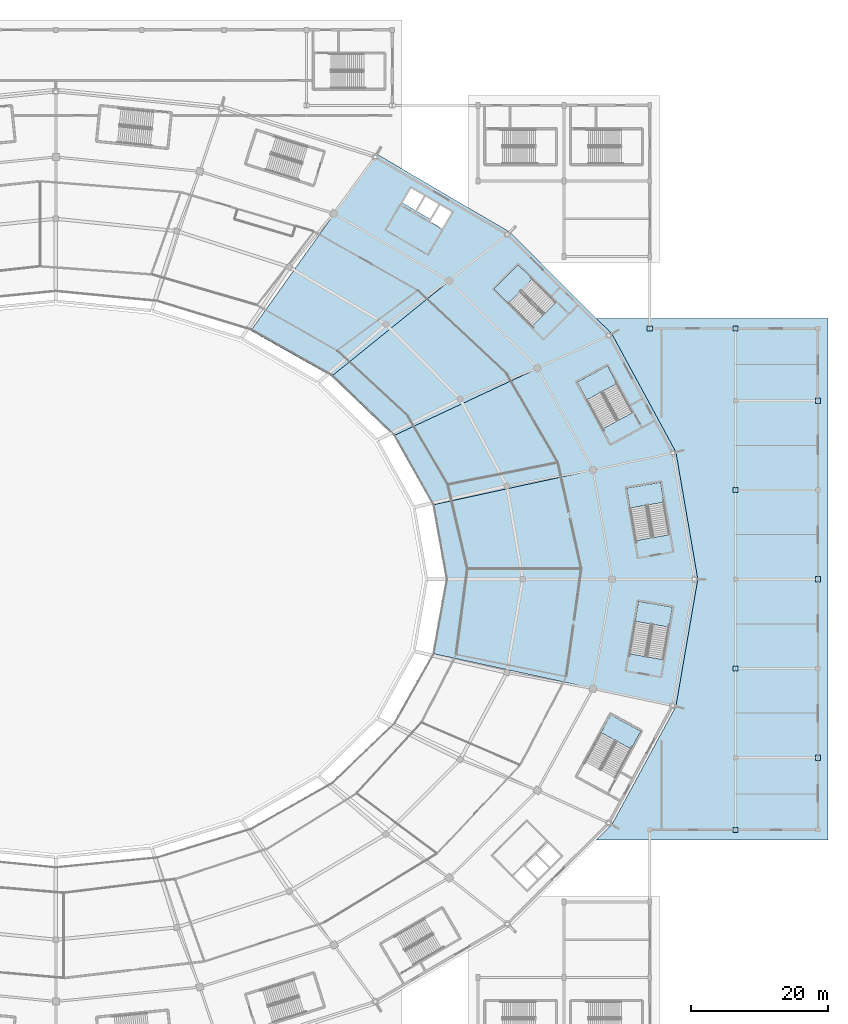
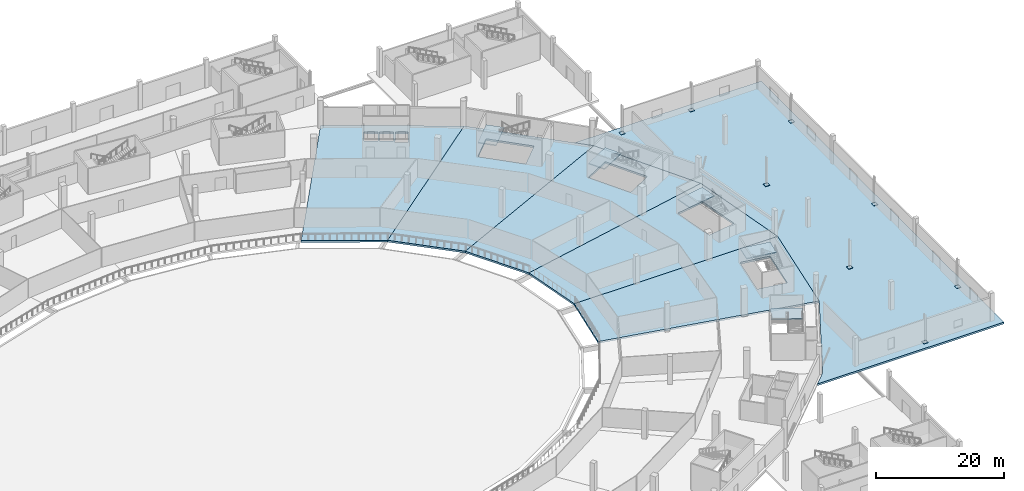
# One storey, part 30 of 82: 11 slabs, 8 plates, 5 elements without a shape of their own.
"""IFC4 building model written with IfcOpenShell, lengths in metres."""

import ifcopenshell
import ifcopenshell.guid

model = None  # the IFC model being written
_history = None  # IfcOwnerHistory: only IFC2X3 demands one
_inside = {}  # id of a spatial element -> (the spatial element, [elements in it])
_under = {}  # id of a project, library or spatial element -> (it, [spatial elements below it])
_declared = {}  # id of a project -> (the project, [libraries it declares])
_typed = {}  # id of a type object -> (the type object, [elements of that type])
_made_of = {}  # id of a material, layer set ... -> (it, [elements and type objects made of it])


def new_model(schema):
    """Start an empty IFC model of exactly this schema.

    Asked for "IFC4X3", IfcOpenShell would pick the latest addendum, in which some entities
    have other attributes; the version numbers below select the first issue.
    IFC2X3 requires an IfcOwnerHistory on every rooted entity: one is made here for all.
    """
    global model, _history
    if schema == "IFC4X3":
        model = ifcopenshell.file(schema_version=(4, 3, 0, 0))
    else:
        model = ifcopenshell.file(schema=schema)
    _inside.clear()
    _under.clear()
    _declared.clear()
    _typed.clear()
    _made_of.clear()
    _history = None
    if model.schema == "IFC2X3":
        org = make("IfcOrganization", Name="unknown")
        user = make(
            "IfcPersonAndOrganization",
            ThePerson=make("IfcPerson", FamilyName="unknown"),
            TheOrganization=org,
        )
        app = make(
            "IfcApplication",
            ApplicationDeveloper=org,
            Version="unknown",
            ApplicationFullName="unknown",
            ApplicationIdentifier="unknown",
        )
        _history = make(
            "IfcOwnerHistory",
            OwningUser=user,
            OwningApplication=app,
            ChangeAction="ADDED",
            CreationDate=0,
        )
    return model


def make(cls, **values):
    """One entity of the class cls with the attributes given. An attribute that is None is left unset."""
    return model.create_entity(
        cls, **{name: value for name, value in values.items() if value is not None}
    )


def rooted(cls, **values):
    """An entity with a GlobalId (a new one), such as an element, a storey or a relation."""
    return make(cls, GlobalId=ifcopenshell.guid.new(), OwnerHistory=_history, **values)


def si_unit(unit_type, name, prefix=None):
    """IfcSIUnit, for example si_unit("LENGTHUNIT", "METRE", prefix="MILLI")."""
    return make("IfcSIUnit", UnitType=unit_type, Prefix=prefix, Name=name)


def assignment(units):
    """IfcUnitAssignment: the units of a project."""
    return None if units is None else make("IfcUnitAssignment", Units=units)


def point(xyz):
    """IfcCartesianPoint."""
    return None if xyz is None else make("IfcCartesianPoint", Coordinates=xyz)


def direction(xyz):
    """IfcDirection."""
    return None if xyz is None else make("IfcDirection", DirectionRatios=xyz)


def frame(location, z_axis=None, x_axis=None):
    """IfcAxis2Placement3D, a coordinate frame: its origin and axes. An axis left out is left unset."""
    return make(
        "IfcAxis2Placement3D",
        Location=point(location),
        Axis=direction(z_axis),
        RefDirection=direction(x_axis),
    )


def frame_2d(location, x_axis=None):
    """IfcAxis2Placement2D, a coordinate frame in the plane: its origin and x axis."""
    return make(
        "IfcAxis2Placement2D", Location=point(location), RefDirection=direction(x_axis)
    )


def origin():
    """The frame at (0, 0, 0) with its axes left unset."""
    return frame((0.0, 0.0, 0.0))


def origin_2d():
    """The frame at (0, 0) in the plane with its x axis left unset."""
    return frame_2d((0.0, 0.0))


def place(relative_to, where):
    """IfcLocalPlacement: puts the frame where relative to a parent placement (None: the world)."""
    return make(
        "IfcLocalPlacement", PlacementRelTo=relative_to, RelativePlacement=where
    )


def context(
    kind, dimensions, precision=None, world=None, true_north=None, identifier=None
):
    """IfcGeometricRepresentationContext, for example the 3D "Model" context."""
    return make(
        "IfcGeometricRepresentationContext",
        ContextIdentifier=identifier,
        ContextType=kind,
        CoordinateSpaceDimension=dimensions,
        Precision=precision,
        WorldCoordinateSystem=world,
        TrueNorth=true_north,
    )


def subcontext(parent, identifier, kind, view, scale=None):
    """IfcGeometricRepresentationSubContext, for example "Body" below "Model"."""
    return make(
        "IfcGeometricRepresentationSubContext",
        ContextIdentifier=identifier,
        ContextType=kind,
        ParentContext=parent,
        TargetScale=scale,
        TargetView=view,
    )


def project(units=None, contexts=None):
    """IfcProject with its units and contexts."""
    return rooted(
        "IfcProject",
        Name="project",
        RepresentationContexts=contexts,
        UnitsInContext=assignment(units),
    )


def spatial(cls, under=None, at=None, **own):
    """A site, building, storey or space (cls), placed at a placement, below another one or the project."""
    s = rooted(cls, ObjectPlacement=at, **own)
    if under is not None:
        _under.setdefault(under.id(), (under, []))[1].append(s)
    return s


def polyline(points):
    """IfcPolyline through the points."""
    return make("IfcPolyline", Points=[point(p) for p in points])


def profile(cls, at=None, kind="AREA", **sizes):
    """A parametric profile (cls). Its sizes go by their IFC names, for example OverallWidth=200.0."""
    return make(cls, ProfileType=kind, Position=at, **sizes)


def rectangle(**sizes):
    """IfcRectangleProfileDef."""
    return profile("IfcRectangleProfileDef", **sizes)


def outline(outer, holes=None, kind="AREA"):
    """IfcArbitraryClosedProfileDef: a profile drawn as a closed curve; with holes, ...WithVoids."""
    if holes is None:
        return make("IfcArbitraryClosedProfileDef", ProfileType=kind, OuterCurve=outer)
    return make(
        "IfcArbitraryProfileDefWithVoids",
        ProfileType=kind,
        OuterCurve=outer,
        InnerCurves=holes,
    )


def extrude(swept, where, along, depth):
    """IfcExtrudedAreaSolid: the profile swept, set in the frame where, extruded along a direction by depth."""
    return make(
        "IfcExtrudedAreaSolid",
        SweptArea=swept,
        Position=where,
        ExtrudedDirection=direction(along),
        Depth=depth,
    )


def shape(context_of_items, identifier, shape_type, items):
    """IfcShapeRepresentation: the items that make up one representation, for example the "Body"."""
    return make(
        "IfcShapeRepresentation",
        ContextOfItems=context_of_items,
        RepresentationIdentifier=identifier,
        RepresentationType=shape_type,
        Items=items,
    )


def material(Name=None, Category=None):
    """IfcMaterial."""
    return make("IfcMaterial", Name=Name, Category=Category)


def layer(
    of_material, thickness, ventilated=None, Name=None, Category=None, Priority=None
):
    """IfcMaterialLayer: one layer of a wall or slab, of a material (None: an air gap)."""
    return make(
        "IfcMaterialLayer",
        Material=of_material,
        LayerThickness=thickness,
        IsVentilated=ventilated,
        Name=Name,
        Category=Category,
        Priority=Priority,
    )


def layer_set(layers, Name=None):
    """IfcMaterialLayerSet."""
    return make("IfcMaterialLayerSet", MaterialLayers=layers, LayerSetName=Name)


def made_of(thing, what):
    """Note that an element or type object is made of a material, layer set ...; save() writes the relation."""
    if what is not None:
        _made_of.setdefault(what.id(), (what, []))[1].append(thing)
    return thing


def type_object(cls, material=None, **own):
    """A type object (cls), such as IfcWallType, which elements share."""
    return made_of(rooted(cls, **own), material)


def element(
    cls,
    number,
    at=None,
    inside=None,
    cuts=None,
    type_object=None,
    material=None,
    context=None,
    identifier="Body",
    shape_type=None,
    held_by="IfcProductDefinitionShape",
    body=None,
    shapes=None,
    **own,
):
    """One element of the class cls, such as IfcWall. Its Tag is "e" and its number.

    at: its placement. inside: the storey or other place that contains it. cuts: it is an
    opening in that element (IfcRelVoidsElement). A single representation is given by context,
    identifier, shape_type and body (its items); several are given by shapes. held_by: the class
    of the entity that holds the representations. save() writes the other relations.
    """
    e = rooted(cls, Tag="e%d" % number, ObjectPlacement=at, **own)
    if body is not None:
        shapes = [shape(context, identifier, shape_type, body)]
    if shapes is not None:
        e.Representation = make(held_by, Representations=shapes)
    if inside is not None:
        _inside.setdefault(inside.id(), (inside, []))[1].append(e)
    if cuts is not None:
        rooted(
            "IfcRelVoidsElement", RelatingBuildingElement=cuts, RelatedOpeningElement=e
        )
    if type_object is not None:
        _typed.setdefault(type_object.id(), (type_object, []))[1].append(e)
    return made_of(e, material)


def aggregate(whole, parts):
    """IfcRelAggregates: a whole, such as a stair, and the parts it consists of."""
    return rooted("IfcRelAggregates", RelatingObject=whole, RelatedObjects=parts)


def save(model, path):
    """Write the relations noted so far, then the file.

    IfcRelAggregates (storeys below a building ...), IfcRelContainedInSpatialStructure (elements
    in a storey), IfcRelDefinesByType, IfcRelAssociatesMaterial and IfcRelDeclares: one each for
    every whole, place, type object, material and project.
    """
    for whole, parts in _under.values():
        aggregate(whole, parts)
    for where, things in _inside.values():
        rooted(
            "IfcRelContainedInSpatialStructure",
            RelatedElements=things,
            RelatingStructure=where,
        )
    for kind, things in _typed.values():
        rooted("IfcRelDefinesByType", RelatedObjects=things, RelatingType=kind)
    for what, things in _made_of.values():
        rooted("IfcRelAssociatesMaterial", RelatedObjects=things, RelatingMaterial=what)
    for by, libraries in _declared.values():
        rooted("IfcRelDeclares", RelatingContext=by, RelatedDefinitions=libraries)
    model.write(path)


model = new_model("IFC4")

# Units and contexts
model_context = context("Model", 3, precision=1e-05, world=origin(), true_north=direction((0.0, 1.0)))
body_context = subcontext(model_context, "Body", "Model", "MODEL_VIEW")
ifc_project = project(units=[si_unit("LENGTHUNIT", "METRE"), si_unit("AREAUNIT", "SQUARE_METRE"), si_unit("VOLUMEUNIT", "CUBIC_METRE"), si_unit("PLANEANGLEUNIT", "RADIAN"), si_unit("MASSUNIT", "GRAM", prefix="KILO")], contexts=[model_context])

# Site, building, storey
site_placement = place(None, origin())
site = spatial("IfcSite", under=ifc_project, at=site_placement, CompositionType="ELEMENT")
building_placement = place(site_placement, origin())
building = spatial("IfcBuilding", under=site, at=building_placement, Name="Zlatoyarsky Gate Stadium", CompositionType="ELEMENT")
storey_placement = place(building_placement, origin())
storey = spatial("IfcBuildingStorey", under=building, at=storey_placement, Name="L00", CompositionType="ELEMENT", Elevation=0.0)

# Slabs
ifc_material_1 = material(Name="Concrete C40/50", Category="concrete")
ifc_layer_1 = layer(ifc_material_1, 0.35009765625)
ifc_layer_set_1 = layer_set([ifc_layer_1], Name="Concrete C40/50")
slab_type_1 = type_object("IfcSlabType", Name="CONCRETE GROUND EVENT SLAB 350", PredefinedType="FLOOR", material=ifc_layer_set_1)
slab_1_placement = place(storey_placement, frame((0.0, 0.0, -0.35009765625)))
element("IfcSlab", 1, at=slab_1_placement, inside=storey, type_object=slab_type_1, Name="L00 bowl sector 00 slab", PredefinedType="FLOOR", context=body_context, shape_type="SweptSolid", body=[
    extrude(outline(polyline([(165.864501953125, 90.818603515625), (201.314208984375, 98.505615234375), (204.5, 80.0), (167.800048828125, 80.0), (165.864501953125, 90.818603515625)]), holes=[polyline([(195.447998046875, 85.635498046875), (200.37548828125, 86.485107421875), (199.058349609375, 94.122314453125), (194.131103515625, 93.272705078125), (195.447998046875, 85.635498046875)])]), origin(), (0.0, 0.0, 1.0), 0.35009765625),
])
slab_2_placement = place(storey_placement, frame((0.0, 0.0, -0.35009765625)))
element("IfcSlab", 2, at=slab_2_placement, inside=storey, type_object=slab_type_1, Name="L00 bowl sector 01 slab", PredefinedType="FLOOR", context=body_context, shape_type="SweptSolid", body=[
    extrude(outline(polyline([(160.190185546875, 100.89990234375), (191.973388671875, 115.75), (201.314208984375, 98.505615234375), (165.864501953125, 90.818603515625), (160.190185546875, 100.89990234375)]), holes=[polyline([(195.030517578125, 104.287353515625), (191.33447265625, 111.09912109375), (186.939697265625, 108.71484375), (190.635498046875, 101.90283203125), (195.030517578125, 104.287353515625)])]), origin(), (0.0, 0.0, 1.0), 0.35009765625),
])
slab_3_placement = place(storey_placement, frame((0.0, 0.0, -0.35009765625)))
element("IfcSlab", 3, at=slab_3_placement, inside=storey, type_object=slab_type_1, Name="L00 bowl sector 02 slab", PredefinedType="FLOOR", context=body_context, shape_type="SweptSolid", body=[
    extrude(outline(polyline([(151.163818359375, 109.55712890625), (177.114501953125, 130.55810546875), (191.973388671875, 115.75), (160.190185546875, 100.89990234375), (151.163818359375, 109.55712890625)]), holes=[polyline([(180.3017578125, 116.802734375), (183.828125, 120.347412109375), (178.334228515625, 125.8134765625), (174.8076171875, 122.268798828125), (180.3017578125, 116.802734375)])]), origin(), (0.0, 0.0, 1.0), 0.35009765625),
])
slab_4_placement = place(storey_placement, frame((0.0, 0.0, -0.35009765625)))
element("IfcSlab", 4, at=slab_4_placement, inside=storey, type_object=slab_type_1, Name="L00 bowl sector 03 slab", PredefinedType="FLOOR", context=body_context, shape_type="SweptSolid", body=[
    extrude(outline(polyline([(139.39990234375, 116.199951171875), (157.75, 141.9208984375), (177.114501953125, 130.55810546875), (151.163818359375, 109.55712890625), (139.39990234375, 116.199951171875)]), holes=[polyline([(167.2734375, 131.070068359375), (168.688720703125, 133.486083984375), (166.962890625, 134.4970703125), (165.547607421875, 132.0810546875), (167.2734375, 131.070068359375)]), polyline([(165.483642578125, 132.46630859375), (166.747314453125, 134.623291015625), (164.84912109375, 135.7353515625), (163.58544921875, 133.578125), (165.483642578125, 132.46630859375)]), polyline([(163.36962890625, 133.70458984375), (164.63330078125, 135.86181640625), (162.735107421875, 136.9736328125), (161.471435546875, 134.816650390625), (163.36962890625, 133.70458984375)])]), origin(), (0.0, 0.0, 1.0), 0.35009765625),
])
slab_5_placement = place(storey_placement, frame((0.0, 0.0, -0.35009765625)))
element("IfcSlab", 5, at=slab_5_placement, inside=storey, type_object=slab_type_1, Name="L00 bowl sector 23 slab", PredefinedType="FLOOR", context=body_context, shape_type="SweptSolid", body=[
    extrude(outline(polyline([(167.800048828125, 80.0), (204.5, 80.0), (201.314208984375, 61.494384765625), (165.864501953125, 69.181396484375), (167.800048828125, 80.0)]), holes=[polyline([(194.547607421875, 69.1416015625), (199.474609375, 68.2919921875), (200.791748046875, 75.92919921875), (195.864501953125, 76.77880859375), (194.547607421875, 69.1416015625)])]), origin(), (0.0, 0.0, 1.0), 0.35009765625),
])
slab_6_placement = place(storey_placement, frame((0.0, 0.0, -0.35009765625)))
element("IfcSlab", 6, at=slab_6_placement, inside=storey, type_object=slab_type_1, Name="L00 wing V5_EAST slab", PredefinedType="FLOOR", context=body_context, shape_type="SweptSolid", body=[
    extrude(outline(polyline([(189.765869140625, 42.050048828125), (191.973388671875, 44.25), (201.314208984375, 61.494384765625), (204.5, 80.0), (201.314208984375, 98.505615234375), (191.973388671875, 115.75), (189.765869140625, 117.949951171875), (223.449951171875, 117.949951171875), (223.449951171875, 42.050048828125), (189.765869140625, 42.050048828125)])), origin(), (0.0, 0.0, 1.0), 0.35009765625),
])

# Stair, slab
stair_type = type_object("IfcStairType", Name="CONCRETE DOGLEG EXIT STAIR H5400", PredefinedType="TWO_STRAIGHT_RUN_STAIR", material=ifc_material_1)
stair_1_placement = place(storey_placement, origin())
stair_1 = element("IfcStair", 7, at=stair_1_placement, inside=storey, type_object=stair_type, Name="L00 Exit Stair ST-01", PredefinedType="TWO_STRAIGHT_RUN_STAIR")
ifc_layer_2 = layer(ifc_material_1, 0.199951171875)
ifc_layer_set_2 = layer_set([ifc_layer_2], Name="Concrete C40/50")
slab_type_2 = type_object("IfcSlabType", Name="CONCRETE STAIR LANDING SLAB 200", PredefinedType="LANDING", material=ifc_layer_set_2)
slab_7_placement = place(storey_placement, frame((0.0, 0.0, 2.5)))
slab_7 = element("IfcSlab", 8, at=slab_7_placement, type_object=slab_type_2, Name="ST-DG54 landing 1", PredefinedType="LANDING", context=body_context, shape_type="SweptSolid", body=[
    extrude(outline(polyline([(199.5595703125, 91.21533203125), (199.058349609375, 94.12255859375), (194.131103515625, 93.272705078125), (194.63232421875, 90.36572265625), (199.5595703125, 91.21533203125)])), origin(), (0.0, 0.0, 1.0), 0.199951171875),
])
aggregate(stair_1, [slab_7])

stair_2_placement = place(storey_placement, origin())
stair_2 = element("IfcStair", 9, at=stair_2_placement, inside=storey, type_object=stair_type, Name="L00 Exit Stair ST-02", PredefinedType="TWO_STRAIGHT_RUN_STAIR")
slab_8_placement = place(storey_placement, frame((0.0, 0.0, 2.5)))
slab_8 = element("IfcSlab", 10, at=slab_8_placement, type_object=slab_type_2, Name="ST-DG54 landing 1", PredefinedType="LANDING", context=body_context, shape_type="SweptSolid", body=[
    extrude(outline(polyline([(180.425537109375, 123.732666015625), (178.334228515625, 125.8134765625), (174.8076171875, 122.26904296875), (176.89892578125, 120.188232421875), (180.425537109375, 123.732666015625)])), origin(), (0.0, 0.0, 1.0), 0.199951171875),
])
aggregate(stair_2, [slab_8])

stair_3_placement = place(storey_placement, origin())
stair_3 = element("IfcStair", 11, at=stair_3_placement, inside=storey, type_object=stair_type, Name="L00 Exit Stair ST-12", PredefinedType="TWO_STRAIGHT_RUN_STAIR")
slab_9_placement = place(storey_placement, frame((0.0, 0.0, 2.5)))
slab_9 = element("IfcSlab", 12, at=slab_9_placement, type_object=slab_type_2, Name="ST-DG54 landing 1", PredefinedType="LANDING", context=body_context, shape_type="SweptSolid", body=[
    extrude(outline(polyline([(194.7919921875, 55.273193359375), (196.19873046875, 57.8662109375), (191.803955078125, 60.250732421875), (190.397216796875, 57.65771484375), (194.7919921875, 55.273193359375)])), origin(), (0.0, 0.0, 1.0), 0.199951171875),
])
aggregate(stair_3, [slab_9])

stair_4_placement = place(storey_placement, origin())
stair_4 = element("IfcStair", 13, at=stair_4_placement, inside=storey, type_object=stair_type, Name="L00 Exit Stair ST-13", PredefinedType="TWO_STRAIGHT_RUN_STAIR")
slab_10_placement = place(storey_placement, frame((0.0, 0.0, 2.5)))
slab_10 = element("IfcSlab", 14, at=slab_10_placement, type_object=slab_type_2, Name="ST-DG54 landing 1", PredefinedType="LANDING", context=body_context, shape_type="SweptSolid", body=[
    extrude(outline(polyline([(192.741455078125, 108.50634765625), (191.33447265625, 111.09912109375), (186.939697265625, 108.71484375), (188.346435546875, 106.121826171875), (192.741455078125, 108.50634765625)])), origin(), (0.0, 0.0, 1.0), 0.199951171875),
])
aggregate(stair_4, [slab_10])

stair_5_placement = place(storey_placement, origin())
stair_5 = element("IfcStair", 15, at=stair_5_placement, inside=storey, type_object=stair_type, Name="L00 Exit Stair ST-20", PredefinedType="TWO_STRAIGHT_RUN_STAIR")
slab_11_placement = place(storey_placement, frame((0.0, 0.0, 2.5)))
slab_11 = element("IfcSlab", 16, at=slab_11_placement, type_object=slab_type_2, Name="ST-DG54 landing 1", PredefinedType="LANDING", context=body_context, shape_type="SweptSolid", body=[
    extrude(outline(polyline([(200.29052734375, 73.022216796875), (200.791748046875, 75.92919921875), (195.864501953125, 76.77880859375), (195.36328125, 73.871826171875), (200.29052734375, 73.022216796875)])), origin(), (0.0, 0.0, 1.0), 0.199951171875),
])
aggregate(stair_5, [slab_11])

# Plates
ifc_material_2 = material(Name="Steel S355", Category="steel")
ifc_layer_3 = layer(ifc_material_2, 0.0400390625)
ifc_layer_set_3 = layer_set([ifc_layer_3], Name="Steel S355")
plate_type = type_object("IfcPlateType", Name="STEEL COLUMN BASE PLATE 40", PredefinedType="USERDEFINED", material=ifc_layer_set_3)
for number, where, z_axis, x_axis, name in (
    (17, (197.5, 116.5, 0.0), (0.0, 0.0, 1.0), (1.0, 0.0, 0.0), "Column base plate BP-01 at WG-17-L L00"),
    (18, (210.0, 43.5, 0.0), (0.0, 0.0, 1.0), (1.0, 0.0, 0.0), "Column base plate BP-01 at WG-18-E L00"),
    (19, (210.0, 67.0, 0.0), (0.0, 0.0, 1.0), (1.0, 0.0, 0.0), "Column base plate BP-01 at WG-18-G L00"),
    (20, (210.0, 93.0, 0.0), (0.0, 0.0, 1.0), (1.0, 0.0, 0.0), "Column base plate BP-01 at WG-18-J L00"),
    (21, (210.0, 116.5, 0.0), (0.0, 0.0, 1.0), (1.0, 0.0, 0.0), "Column base plate BP-01 at WG-18-L L00"),
    (22, (222.0, 54.0, 0.0), (0.0, 0.0, 1.0), (1.0, 0.0, 0.0), "Column base plate BP-01 at WG-19-F L00"),
    (23, (222.0, 80.0, 0.0), (0.0, 0.0, 1.0), (1.0, 0.0, 0.0), "Column base plate BP-01 at WG-19-H L00"),
    (24, (222.0, 106.0, 0.0), (0.0, 0.0, 1.0), (1.0, 0.0, 0.0), "Column base plate BP-01 at WG-19-K L00"),
):
    element("IfcPlate", number, at=place(storey_placement, frame(where, z_axis=z_axis, x_axis=x_axis)), inside=storey, type_object=plate_type, Name=name, ObjectType="BASE PLATE", PredefinedType="USERDEFINED", context=body_context, shape_type="SweptSolid", body=[
        extrude(rectangle(XDim=0.75, YDim=0.75, at=origin_2d()), origin(), (0.0, 0.0, 1.0), 0.0400390625),
    ])

save(model, "model.ifc")
